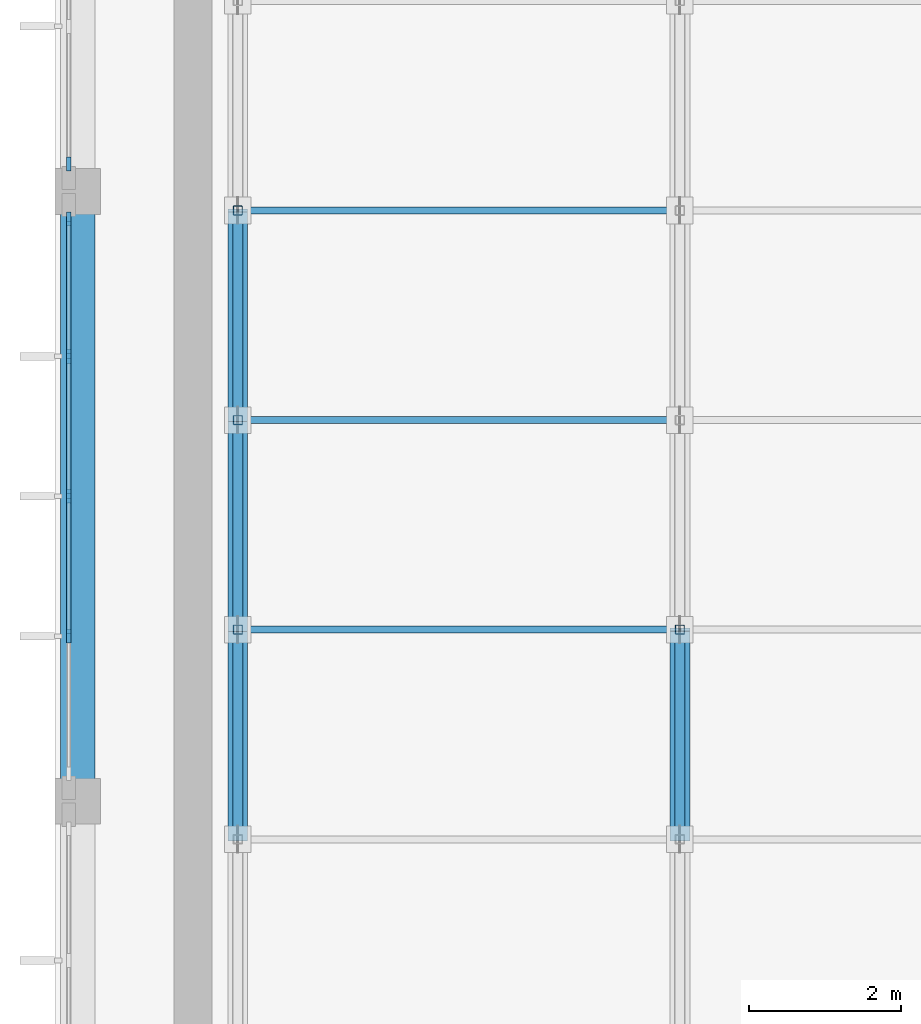
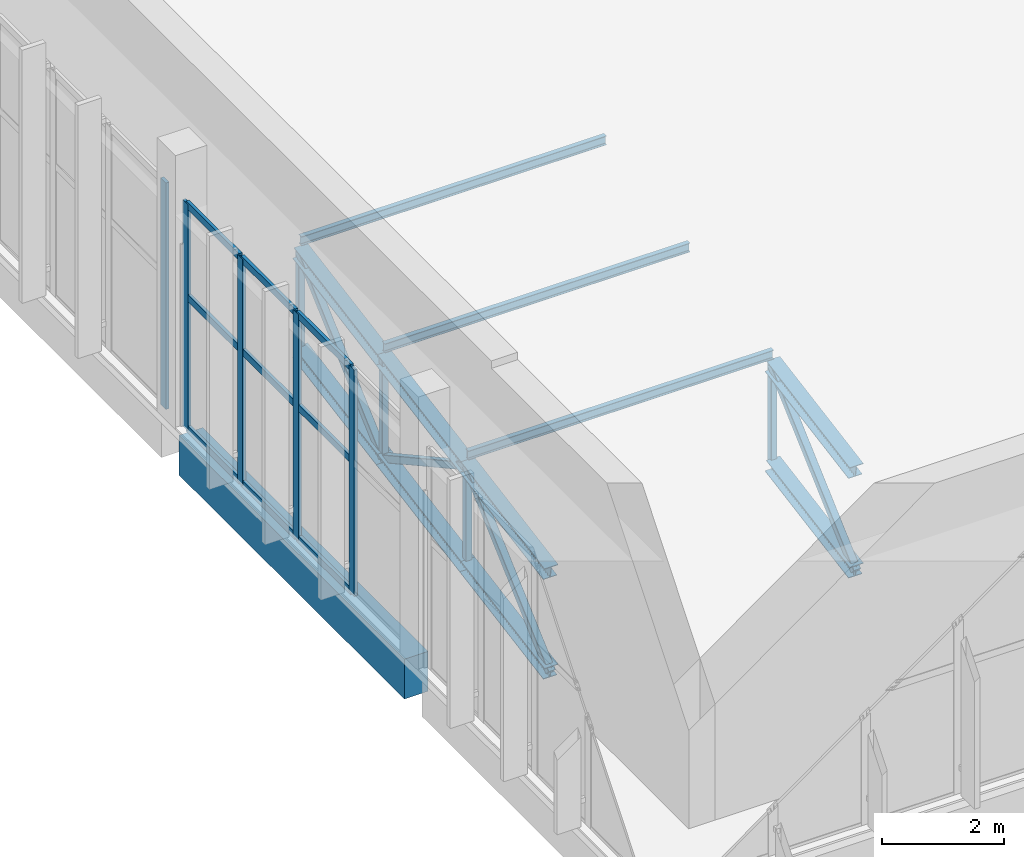
# One storey, part 15 of 132: 33 members, 1 beam, 2 elements without a shape of their own.
"""IFC4 building model written with IfcOpenShell, lengths in metres."""

from ifc_helpers import new_model, si_unit, direction, frame, origin, origin_2d, place, context, subcontext, project, spatial, rectangle, hollow_rectangle, i_section, extrude, material, layer, layer_set, material_profile, profile_set, type_object, element, aggregate, save


model = new_model("IFC4")

# Units and contexts
model_context = context("Model", 3, precision=1e-05, world=origin(), true_north=direction((0.0, 1.0)))
body_context = subcontext(model_context, "Body", "Model", "MODEL_VIEW")
ifc_project = project(units=[si_unit("LENGTHUNIT", "METRE"), si_unit("AREAUNIT", "SQUARE_METRE"), si_unit("VOLUMEUNIT", "CUBIC_METRE"), si_unit("PLANEANGLEUNIT", "RADIAN"), si_unit("MASSUNIT", "GRAM", prefix="KILO")], contexts=[model_context])

# Site, building, storey
site_placement = place(None, origin())
site = spatial("IfcSite", under=ifc_project, at=site_placement, CompositionType="ELEMENT")
building_placement = place(site_placement, origin())
building = spatial("IfcBuilding", under=site, at=building_placement, Name="Lunette Opera House", CompositionType="ELEMENT")
storey_placement = place(building_placement, frame((0.0, 0.0, 17.0)))
storey = spatial("IfcBuildingStorey", under=building, at=storey_placement, Name="L03", CompositionType="ELEMENT", Elevation=17.0)

# Members
ifc_material_1 = material(Name="Steel S355", Category="steel")
ifc_material_profile_1 = material_profile(ifc_material_1, i_section(OverallWidth=0.260009765625, OverallDepth=0.25, WebThickness=0.007568359375, FlangeThickness=0.012451171875, FilletRadius=0.02392578125, at=origin_2d()), Name="HEA 260")
ifc_profile_set_1 = profile_set([ifc_material_profile_1], Name="Steel S355")
member_type_1 = type_object("IfcMemberType", Name="CHORD HEA 260", PredefinedType="CHORD", material=ifc_profile_set_1)
for number, where, z_axis, x_axis, name in (
    (1, (10.39990234375, 71.5, 1.264892578125), (0.0, 0.984794998673, 0.173720495593), (-1.0, 0.0, 0.0), "mem-RW-L03-RW-TR01-TC3"),
    (2, (10.39990234375, 71.5, -0.735107421875), (0.0, 0.984794998673, 0.173720495593), (-1.0, 0.0, 0.0), "mem-RW-L03-RW-TR01-BC3"),
    (3, (10.39990234375, 74.25, 1.75), (0.0, 0.984794998673, 0.173720495593), (-1.0, 0.0, 0.0), "mem-RW-L03-RW-TR01-TC4"),
    (4, (10.39990234375, 74.25, -0.25), (0.0, 0.984794998673, 0.173720495593), (-1.0, 0.0, 0.0), "mem-RW-L03-RW-TR01-BC4"),
):
    element("IfcMember", number, at=place(storey_placement, frame(where, z_axis=z_axis, x_axis=x_axis)), inside=storey, type_object=member_type_1, Name=name, PredefinedType="CHORD", context=body_context, shape_type="SweptSolid", body=[
        extrude(i_section(OverallWidth=0.260009765625, OverallDepth=0.25, WebThickness=0.007568359375, FlangeThickness=0.012451171875, FilletRadius=0.02392578125, at=origin_2d()), origin(), (0.0, 0.0, 1.0), 2.79248046875),
    ])
for number, where, z_axis, x_axis, name in (
    (5, (10.39990234375, 77.0, 2.235107421875), (0.0, 0.98486969904, 0.173296497115), (-1.0, 0.0, 0.0), "mem-RW-L03-RW-TR01-TC5"),
    (6, (10.39990234375, 77.0, 0.235107421875), (0.0, 0.98486969904, 0.173296497115), (-1.0, 0.0, 0.0), "mem-RW-L03-RW-TR01-BC5"),
):
    element("IfcMember", number, at=place(storey_placement, frame(where, z_axis=z_axis, x_axis=x_axis)), inside=storey, type_object=member_type_1, Name=name, PredefinedType="CHORD", context=body_context, shape_type="SweptSolid", body=[
        extrude(i_section(OverallWidth=0.260009765625, OverallDepth=0.25, WebThickness=0.007568359375, FlangeThickness=0.012451171875, FilletRadius=0.02392578125, at=origin_2d()), origin(), (0.0, 0.0, 1.0), 2.792236328125),
    ])
for number, where, z_axis, x_axis, name in (
    (7, (16.199951171875, 71.5, 1.264892578125), (0.0, 0.984794998673, 0.173720495593), (-1.0, 0.0, 0.0), "mem-RW-L03-RW-TR02-TC3"),
    (8, (16.199951171875, 71.5, -0.735107421875), (0.0, 0.984794998673, 0.173720495593), (-1.0, 0.0, 0.0), "mem-RW-L03-RW-TR02-BC3"),
):
    element("IfcMember", number, at=place(storey_placement, frame(where, z_axis=z_axis, x_axis=x_axis)), inside=storey, type_object=member_type_1, Name=name, PredefinedType="CHORD", context=body_context, shape_type="SweptSolid", body=[
        extrude(i_section(OverallWidth=0.260009765625, OverallDepth=0.25, WebThickness=0.007568359375, FlangeThickness=0.012451171875, FilletRadius=0.02392578125, at=origin_2d()), origin(), (0.0, 0.0, 1.0), 2.79248046875),
    ])
ifc_material_2 = material(Name="Steel S355", Category="steel")
ifc_material_profile_2 = material_profile(ifc_material_2, hollow_rectangle(XDim=0.139892578125, YDim=0.139892578125, WallThickness=0.006103515625, InnerFilletRadius=0.006103515625, OuterFilletRadius=0.011962890625, at=origin_2d()), Name="RHS 140X140X6")
ifc_profile_set_2 = profile_set([ifc_material_profile_2], Name="Steel S355")
member_type_2 = type_object("IfcMemberType", Name="DIAGONAL RHS 140X140X6", PredefinedType="BRACE", material=ifc_profile_set_2)
member_1_placement = place(storey_placement, frame((10.39990234375, 71.5, -0.735107421875), z_axis=(0.0, 0.741936685601, 0.670469950527), x_axis=(-1.0, 0.0, 0.0)))
element("IfcMember", 9, at=member_1_placement, inside=storey, type_object=member_type_2, Name="mem-RW-L03-RW-TR01-TD3", PredefinedType="BRACE", context=body_context, shape_type="SweptSolid", body=[
    extrude(hollow_rectangle(XDim=0.139892578125, YDim=0.139892578125, WallThickness=0.006103515625, InnerFilletRadius=0.006103515625, OuterFilletRadius=0.011962890625, at=origin_2d()), origin(), (0.0, 0.0, 1.0), 3.70654296875),
])
member_2_placement = place(storey_placement, frame((10.39990234375, 74.25, 1.75), z_axis=(0.0, 0.875893925299, -0.482503711513), x_axis=(-1.0, 0.0, 0.0)))
element("IfcMember", 10, at=member_2_placement, inside=storey, type_object=member_type_2, Name="mem-RW-L03-RW-TR01-TD4", PredefinedType="BRACE", context=body_context, shape_type="SweptSolid", body=[
    extrude(hollow_rectangle(XDim=0.139892578125, YDim=0.139892578125, WallThickness=0.006103515625, InnerFilletRadius=0.006103515625, OuterFilletRadius=0.011962890625, at=origin_2d()), origin(), (0.0, 0.0, 1.0), 3.1396484375),
])
member_3_placement = place(storey_placement, frame((10.39990234375, 77.0, 0.235107421875), z_axis=(0.0, 0.742100528467, 0.670288598776), x_axis=(-1.0, 0.0, 0.0)))
element("IfcMember", 11, at=member_3_placement, inside=storey, type_object=member_type_2, Name="mem-RW-L03-RW-TR01-TD5", PredefinedType="BRACE", context=body_context, shape_type="SweptSolid", body=[
    extrude(hollow_rectangle(XDim=0.139892578125, YDim=0.139892578125, WallThickness=0.006103515625, InnerFilletRadius=0.006103515625, OuterFilletRadius=0.011962890625, at=origin_2d()), origin(), (0.0, 0.0, 1.0), 3.705810546875),
])
member_4_placement = place(storey_placement, frame((16.199951171875, 71.5, -0.735107421875), z_axis=(0.0, 0.741936685601, 0.670469950527), x_axis=(-1.0, 0.0, 0.0)))
element("IfcMember", 12, at=member_4_placement, inside=storey, type_object=member_type_2, Name="mem-RW-L03-RW-TR02-TD3", PredefinedType="BRACE", context=body_context, shape_type="SweptSolid", body=[
    extrude(hollow_rectangle(XDim=0.139892578125, YDim=0.139892578125, WallThickness=0.006103515625, InnerFilletRadius=0.006103515625, OuterFilletRadius=0.011962890625, at=origin_2d()), origin(), (0.0, 0.0, 1.0), 3.70654296875),
])

# Curtain wall, member
ifc_material_3 = material(Name="Aluminium", Category="aluminium")
ifc_layer = layer(ifc_material_3, 0.179931640625)
ifc_layer_set = layer_set([ifc_layer], Name="Aluminium")
curtain_wall_type = type_object("IfcCurtainWallType", Name="SUN FACE CURTAIN WALL", PredefinedType="NOTDEFINED", material=ifc_layer_set)
curtain_wall_1_placement = place(storey_placement, origin())
curtain_wall_1 = element("IfcCurtainWall", 13, at=curtain_wall_1_placement, inside=storey, type_object=curtain_wall_type, Name="Sun Face Curtain Wall F16 L03", PredefinedType="NOTDEFINED")
ifc_material_4 = material(Name="Aluminium", Category="aluminium")
ifc_material_profile_3 = material_profile(ifc_material_4, rectangle(XDim=0.06005859375, YDim=0.179931640625, at=origin_2d()), Name="MULLION 60 X 180")
ifc_profile_set_3 = profile_set([ifc_material_profile_3], Name="Aluminium")
member_type_3 = type_object("IfcMemberType", Name="MULLION 60 X 180", PredefinedType="MULLION", material=ifc_profile_set_3)
member_5_placement = place(storey_placement, frame((8.181884765625, 80.360107421875, 0.0), z_axis=(0.0, 0.0, 1.0), x_axis=(1.0, 0.0, 0.0)))
member_5 = element("IfcMember", 14, at=member_5_placement, type_object=member_type_3, Name="RW-X2046 mullion 5", PredefinedType="MULLION", context=body_context, shape_type="SweptSolid", body=[
    extrude(rectangle(XDim=0.06005859375, YDim=0.179931640625, at=origin_2d()), origin(), (0.0, 0.0, 1.0), 4.550048828125),
])
aggregate(curtain_wall_1, [member_5])

# Curtain wall, members
curtain_wall_2_placement = place(storey_placement, origin())
curtain_wall_2 = element("IfcCurtainWall", 15, at=curtain_wall_2_placement, inside=storey, type_object=curtain_wall_type, Name="Sun Face Curtain Wall F17 L03", PredefinedType="NOTDEFINED")
member_6_placement = place(storey_placement, frame((8.181884765625, 79.639892578125, 0.0), z_axis=(0.0, 0.0, 1.0), x_axis=(1.0, 0.0, 0.0)))
member_6 = element("IfcMember", 16, at=member_6_placement, type_object=member_type_3, Name="RW-X2047 mullion 1", PredefinedType="MULLION", context=body_context, shape_type="SweptSolid", body=[
    extrude(rectangle(XDim=0.06005859375, YDim=0.179931640625, at=origin_2d()), origin(), (0.0, 0.0, 1.0), 4.550048828125),
])
member_7_placement = place(storey_placement, frame((8.181884765625, 77.8349609375, 0.0), z_axis=(0.0, 0.0, 1.0), x_axis=(1.0, 0.0, 0.0)))
member_7 = element("IfcMember", 17, at=member_7_placement, type_object=member_type_3, Name="RW-X2047 mullion 2", PredefinedType="MULLION", context=body_context, shape_type="SweptSolid", body=[
    extrude(rectangle(XDim=0.06005859375, YDim=0.179931640625, at=origin_2d()), origin(), (0.0, 0.0, 1.0), 4.550048828125),
])
member_8_placement = place(storey_placement, frame((8.181884765625, 76.0, 0.0), z_axis=(0.0, 0.0, 1.0), x_axis=(1.0, 0.0, 0.0)))
member_8 = element("IfcMember", 18, at=member_8_placement, type_object=member_type_3, Name="RW-X2047 mullion 3", PredefinedType="MULLION", context=body_context, shape_type="SweptSolid", body=[
    extrude(rectangle(XDim=0.06005859375, YDim=0.179931640625, at=origin_2d()), origin(), (0.0, 0.0, 1.0), 4.550048828125),
])
member_9_placement = place(storey_placement, frame((8.181884765625, 74.1650390625, 0.0), z_axis=(0.0, 0.0, 1.0), x_axis=(1.0, 0.0, 0.0)))
member_9 = element("IfcMember", 19, at=member_9_placement, type_object=member_type_3, Name="RW-X2047 mullion 4", PredefinedType="MULLION", context=body_context, shape_type="SweptSolid", body=[
    extrude(rectangle(XDim=0.06005859375, YDim=0.179931640625, at=origin_2d()), origin(), (0.0, 0.0, 1.0), 4.550048828125),
])

# Members
ifc_material_5 = material(Name="Steel S355", Category="steel")
ifc_material_profile_4 = material_profile(ifc_material_5, i_section(OverallWidth=0.091064453125, OverallDepth=0.179931640625, WebThickness=0.00537109375, FlangeThickness=0.008056640625, FilletRadius=0.009033203125, at=origin_2d()), Name="IPE 180")
ifc_profile_set_4 = profile_set([ifc_material_profile_4], Name="Steel S355")
member_type_4 = type_object("IfcMemberType", Name="PURLIN IPE 180", PredefinedType="PURLIN", material=ifc_profile_set_4)
for number, where, z_axis, x_axis, name in (
    (20, (10.39990234375, 74.25, 1.965087890625), (1.0, 0.0, 0.0), (0.0, 1.0, 0.0), "mem-RW-L03-RW-PU4-1"),
    (21, (10.39990234375, 77.0, 2.449951171875), (1.0, 0.0, 0.0), (0.0, 1.0, 0.0), "mem-RW-L03-RW-PU5-1"),
    (22, (10.39990234375, 79.75, 2.93408203125), (1.0, 0.0, 0.0), (0.0, 1.0, 0.0), "mem-RW-L03-RW-PU6-1"),
):
    element("IfcMember", number, at=place(storey_placement, frame(where, z_axis=z_axis, x_axis=x_axis)), inside=storey, type_object=member_type_4, Name=name, PredefinedType="PURLIN", context=body_context, shape_type="SweptSolid", body=[
        extrude(i_section(OverallWidth=0.091064453125, OverallDepth=0.179931640625, WebThickness=0.00537109375, FlangeThickness=0.008056640625, FilletRadius=0.009033203125, at=origin_2d()), origin(), (0.0, 0.0, 1.0), 5.800048828125),
    ])

# Beam
ifc_material_6 = material(Name="Concrete C35/45", Category="concrete")
ifc_material_profile_5 = material_profile(ifc_material_6, rectangle(XDim=0.449951171875, YDim=0.800048828125, at=origin_2d()), Name="RC BEAM 450X800")
ifc_profile_set_5 = profile_set([ifc_material_profile_5], Name="Concrete C35/45")
beam_type = type_object("IfcBeamType", Name="RC BEAM 450X800", PredefinedType="BEAM", material=ifc_profile_set_5)
beam_placement = place(storey_placement, frame((8.300048828125, 72.2900390625, -0.550048828125), z_axis=(0.0, 1.0, 0.0), x_axis=(-1.0, 0.0, 0.0)))
element("IfcBeam", 23, at=beam_placement, inside=storey, type_object=beam_type, Name="beam-RW-L03-L03-GY01", PredefinedType="BEAM", context=body_context, shape_type="SweptSolid", body=[
    extrude(rectangle(XDim=0.449951171875, YDim=0.800048828125, at=origin_2d()), origin(), (0.0, 0.0, 1.0), 7.419921875),
])

# Member
ifc_material_7 = material(Name="Aluminium", Category="aluminium")
ifc_material_profile_6 = material_profile(ifc_material_7, rectangle(XDim=0.06005859375, YDim=0.139892578125, at=origin_2d()), Name="TRANSOM 60 X 140")
ifc_profile_set_6 = profile_set([ifc_material_profile_6], Name="Aluminium")
member_type_5 = type_object("IfcMemberType", Name="TRANSOM 60 X 140", PredefinedType="USERDEFINED", material=ifc_profile_set_6)
member_10_placement = place(storey_placement, frame((8.181884765625, 79.610107421875, 0.030029296875), z_axis=(0.0, -1.0, 0.0), x_axis=(1.0, 0.0, 0.0)))
member_10 = element("IfcMember", 24, at=member_10_placement, type_object=member_type_5, Name="RW-X2047 transom 1.1", ObjectType="TRANSOM", PredefinedType="USERDEFINED", context=body_context, shape_type="SweptSolid", body=[
    extrude(rectangle(XDim=0.06005859375, YDim=0.139892578125, at=origin_2d()), origin(), (0.0, 0.0, 1.0), 1.7451171875),
])

member_11_placement = place(storey_placement, frame((8.181884765625, 79.610107421875, 2.675048828125), z_axis=(0.0, -1.0, 0.0), x_axis=(1.0, 0.0, 0.0)))
member_11 = element("IfcMember", 25, at=member_11_placement, type_object=member_type_5, Name="RW-X2047 transom 1.2", ObjectType="TRANSOM", PredefinedType="USERDEFINED", context=body_context, shape_type="SweptSolid", body=[
    extrude(rectangle(XDim=0.06005859375, YDim=0.139892578125, at=origin_2d()), origin(), (0.0, 0.0, 1.0), 1.7451171875),
])

member_12_placement = place(storey_placement, frame((8.181884765625, 79.610107421875, 4.52001953125), z_axis=(0.0, -1.0, 0.0), x_axis=(1.0, 0.0, 0.0)))
member_12 = element("IfcMember", 26, at=member_12_placement, type_object=member_type_5, Name="RW-X2047 transom 1.3", ObjectType="TRANSOM", PredefinedType="USERDEFINED", context=body_context, shape_type="SweptSolid", body=[
    extrude(rectangle(XDim=0.06005859375, YDim=0.139892578125, at=origin_2d()), origin(), (0.0, 0.0, 1.0), 1.7451171875),
])

member_13_placement = place(storey_placement, frame((8.181884765625, 77.804931640625, 0.030029296875), z_axis=(0.0, -1.0, 0.0), x_axis=(1.0, 0.0, 0.0)))
member_13 = element("IfcMember", 27, at=member_13_placement, type_object=member_type_5, Name="RW-X2047 transom 2.1", ObjectType="TRANSOM", PredefinedType="USERDEFINED", context=body_context, shape_type="SweptSolid", body=[
    extrude(rectangle(XDim=0.06005859375, YDim=0.139892578125, at=origin_2d()), origin(), (0.0, 0.0, 1.0), 1.77490234375),
])

member_14_placement = place(storey_placement, frame((8.181884765625, 77.804931640625, 2.675048828125), z_axis=(0.0, -1.0, 0.0), x_axis=(1.0, 0.0, 0.0)))
member_14 = element("IfcMember", 28, at=member_14_placement, type_object=member_type_5, Name="RW-X2047 transom 2.2", ObjectType="TRANSOM", PredefinedType="USERDEFINED", context=body_context, shape_type="SweptSolid", body=[
    extrude(rectangle(XDim=0.06005859375, YDim=0.139892578125, at=origin_2d()), origin(), (0.0, 0.0, 1.0), 1.77490234375),
])

member_15_placement = place(storey_placement, frame((8.181884765625, 77.804931640625, 4.52001953125), z_axis=(0.0, -1.0, 0.0), x_axis=(1.0, 0.0, 0.0)))
member_15 = element("IfcMember", 29, at=member_15_placement, type_object=member_type_5, Name="RW-X2047 transom 2.3", ObjectType="TRANSOM", PredefinedType="USERDEFINED", context=body_context, shape_type="SweptSolid", body=[
    extrude(rectangle(XDim=0.06005859375, YDim=0.139892578125, at=origin_2d()), origin(), (0.0, 0.0, 1.0), 1.77490234375),
])

member_16_placement = place(storey_placement, frame((8.181884765625, 75.969970703125, 0.030029296875), z_axis=(0.0, -1.0, 0.0), x_axis=(1.0, 0.0, 0.0)))
member_16 = element("IfcMember", 30, at=member_16_placement, type_object=member_type_5, Name="RW-X2047 transom 3.1", ObjectType="TRANSOM", PredefinedType="USERDEFINED", context=body_context, shape_type="SweptSolid", body=[
    extrude(rectangle(XDim=0.06005859375, YDim=0.139892578125, at=origin_2d()), origin(), (0.0, 0.0, 1.0), 1.77490234375),
])

member_17_placement = place(storey_placement, frame((8.181884765625, 75.969970703125, 2.675048828125), z_axis=(0.0, -1.0, 0.0), x_axis=(1.0, 0.0, 0.0)))
member_17 = element("IfcMember", 31, at=member_17_placement, type_object=member_type_5, Name="RW-X2047 transom 3.2", ObjectType="TRANSOM", PredefinedType="USERDEFINED", context=body_context, shape_type="SweptSolid", body=[
    extrude(rectangle(XDim=0.06005859375, YDim=0.139892578125, at=origin_2d()), origin(), (0.0, 0.0, 1.0), 1.77490234375),
])

member_18_placement = place(storey_placement, frame((8.181884765625, 75.969970703125, 4.52001953125), z_axis=(0.0, -1.0, 0.0), x_axis=(1.0, 0.0, 0.0)))
member_18 = element("IfcMember", 32, at=member_18_placement, type_object=member_type_5, Name="RW-X2047 transom 3.3", ObjectType="TRANSOM", PredefinedType="USERDEFINED", context=body_context, shape_type="SweptSolid", body=[
    extrude(rectangle(XDim=0.06005859375, YDim=0.139892578125, at=origin_2d()), origin(), (0.0, 0.0, 1.0), 1.77490234375),
])

aggregate(curtain_wall_2, [member_6, member_7, member_8, member_9, member_10, member_11, member_12, member_13, member_14, member_15, member_16, member_17, member_18])

# Members
ifc_material_8 = material(Name="Steel S355", Category="steel")
ifc_material_profile_7 = material_profile(ifc_material_8, hollow_rectangle(XDim=0.1201171875, YDim=0.1201171875, WallThickness=0.0048828125, InnerFilletRadius=0.0048828125, OuterFilletRadius=0.010009765625, at=origin_2d()), Name="RHS 120X120X5")
ifc_profile_set_7 = profile_set([ifc_material_profile_7], Name="Steel S355")
member_type_6 = type_object("IfcMemberType", Name="VERTICAL RHS 120X120X5", PredefinedType="POST", material=ifc_profile_set_7)
for number, where, z_axis, x_axis, name in (
    (33, (10.39990234375, 74.25, -0.25), (0.0, 0.0, 1.0), (1.0, 0.0, 0.0), "mem-RW-L03-RW-TR01-TV4"),
    (34, (10.39990234375, 77.0, 0.235107421875), (0.0, 0.0, 1.0), (1.0, 0.0, 0.0), "mem-RW-L03-RW-TR01-TV5"),
    (35, (10.39990234375, 79.75, 0.718994140625), (0.0, 0.0, 1.0), (1.0, 0.0, 0.0), "mem-RW-L03-RW-TR01-TV6"),
    (36, (16.199951171875, 74.25, -0.25), (0.0, 0.0, 1.0), (1.0, 0.0, 0.0), "mem-RW-L03-RW-TR02-TV4"),
):
    element("IfcMember", number, at=place(storey_placement, frame(where, z_axis=z_axis, x_axis=x_axis)), inside=storey, type_object=member_type_6, Name=name, PredefinedType="POST", context=body_context, shape_type="SweptSolid", body=[
        extrude(hollow_rectangle(XDim=0.1201171875, YDim=0.1201171875, WallThickness=0.0048828125, InnerFilletRadius=0.0048828125, OuterFilletRadius=0.010009765625, at=origin_2d()), origin(), (0.0, 0.0, 1.0), 2.0),
    ])

save(model, "model.ifc")
